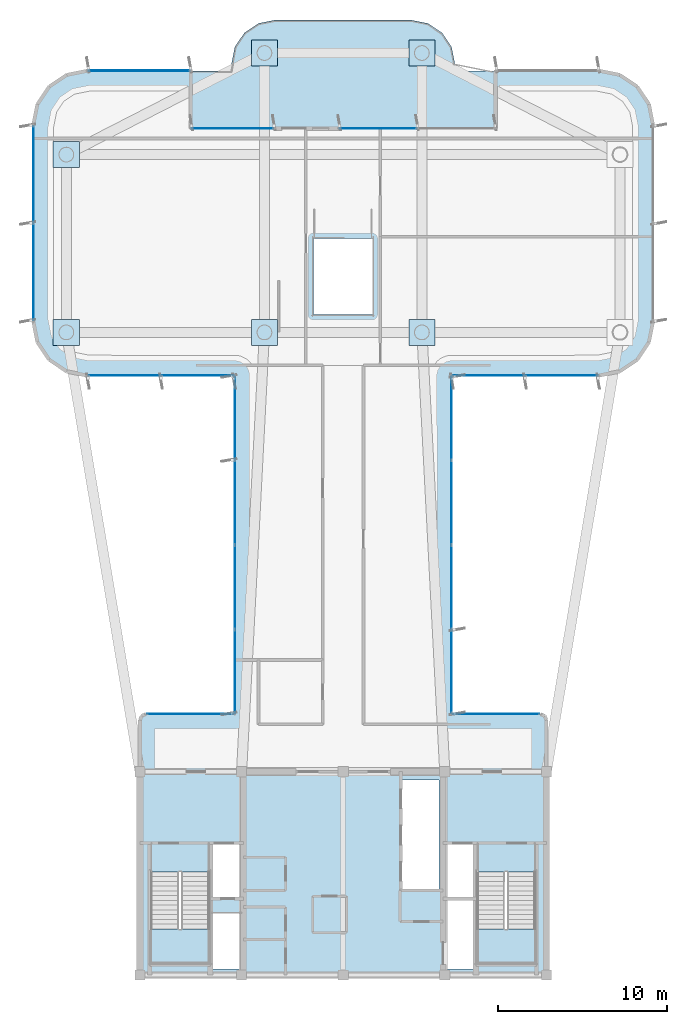
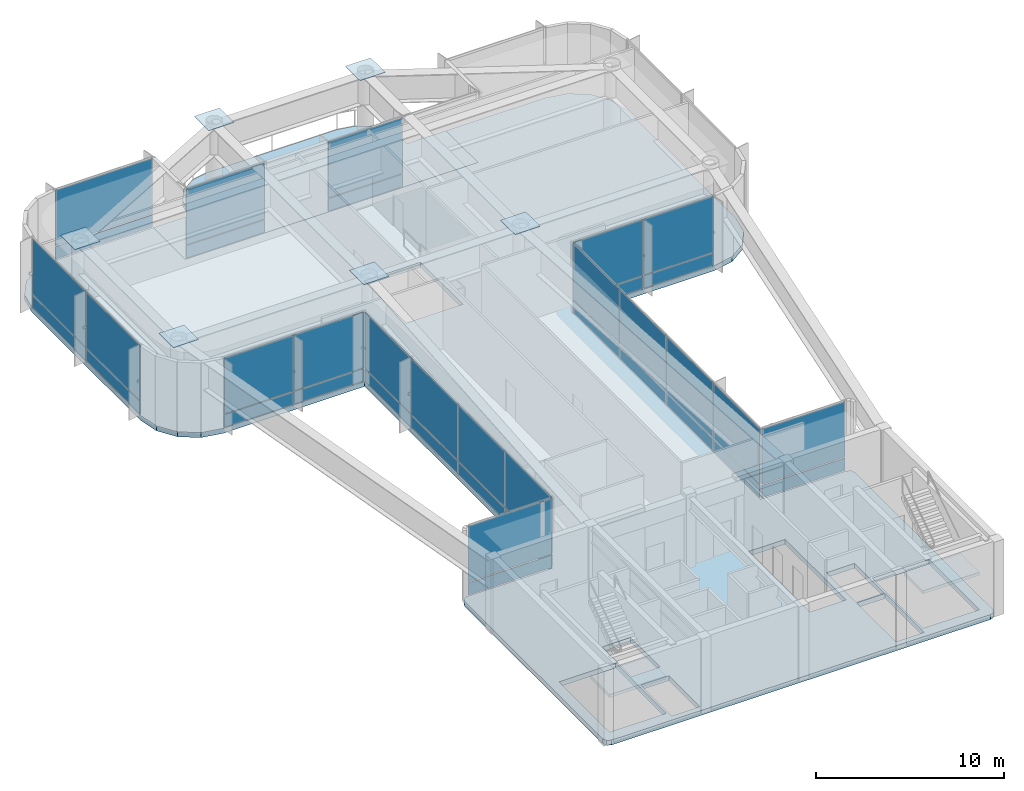
# One storey, part 8 of 13: 44 plates, 4 slabs, 12 elements without a shape of their own.
"""IFC4 building model written with IfcOpenShell, lengths in metres."""

from ifc_helpers import new_model, si_unit, direction, frame, origin, origin_2d, place, context, subcontext, project, spatial, polyline, rectangle, outline, extrude, source, transform, mapped, material, layer, layer_set, type_object, element, aggregate, save


model = new_model("IFC4")

# Units and contexts
model_context = context("Model", 3, precision=1e-05, world=origin(), true_north=direction((0.0, 1.0)))
body_context = subcontext(model_context, "Body", "Model", "MODEL_VIEW")
ifc_project = project(units=[si_unit("LENGTHUNIT", "METRE"), si_unit("AREAUNIT", "SQUARE_METRE"), si_unit("VOLUMEUNIT", "CUBIC_METRE"), si_unit("PLANEANGLEUNIT", "RADIAN"), si_unit("MASSUNIT", "GRAM", prefix="KILO")], contexts=[model_context])

# Site, building, storey
site_placement = place(None, origin())
site = spatial("IfcSite", under=ifc_project, at=site_placement, CompositionType="ELEMENT")
building_placement = place(site_placement, origin())
building = spatial("IfcBuilding", under=site, at=building_placement, Name="Brelvock Crest Care Tower", CompositionType="ELEMENT")
storey_placement = place(building_placement, frame((0.0, 0.0, 291.06005859375)))
storey = spatial("IfcBuildingStorey", under=building, at=storey_placement, Name="L74", CompositionType="ELEMENT", Elevation=291.06005859375)

# Slabs
ifc_material_1 = material(Name="Concrete N50 (50 MPa)", Category="concrete")
ifc_layer_1 = layer(ifc_material_1, 0.320068359375, Name="SLB-FL1")
ifc_layer_set_1 = layer_set([ifc_layer_1], Name="Concrete N50 (50 MPa)")
slab_type_1 = type_object("IfcSlabType", Name="SLB-FL1", PredefinedType="FLOOR", material=ifc_layer_set_1)
slab_1_placement = place(storey_placement, frame((0.0, 0.0, -0.320068359375)))
element("IfcSlab", 1, at=slab_1_placement, inside=storey, type_object=slab_type_1, Name="L74 Main Structural Slab", PredefinedType="FLOOR", context=body_context, shape_type="SweptSolid", body=[
    extrude(outline(polyline([(45.0, 59.39990234375), (45.0, 56.0), (27.0, 56.0), (27.0, 59.39990234375), (20.89990234375, 59.39990234375), (19.67529296875, 59.156494140625), (18.63720703125, 58.462646484375), (17.943603515625, 57.424560546875), (17.699951171875, 56.199951171875), (17.699951171875, 44.60009765625), (17.943603515625, 43.37548828125), (18.63720703125, 42.33740234375), (19.67529296875, 41.6435546875), (20.89990234375, 41.39990234375), (29.60009765625, 41.39990234375), (29.60009765625, 21.39990234375), (24.35009765625, 21.39990234375), (24.1025390625, 21.297607421875), (24.0, 21.050048828125), (24.0, 6.35009765625), (24.1025390625, 6.1025390625), (24.35009765625, 6.0), (47.64990234375, 6.0), (47.8974609375, 6.1025390625), (48.0, 6.35009765625), (48.0, 21.050048828125), (47.8974609375, 21.297607421875), (47.64990234375, 21.39990234375), (42.39990234375, 21.39990234375), (42.39990234375, 41.39990234375), (51.10009765625, 41.39990234375), (52.32470703125, 41.6435546875), (53.36279296875, 42.33740234375), (54.056396484375, 43.37548828125), (54.300048828125, 44.60009765625), (54.300048828125, 56.199951171875), (54.056396484375, 57.424560546875), (53.36279296875, 58.462646484375), (52.32470703125, 59.156494140625), (51.10009765625, 59.39990234375), (45.0, 59.39990234375)]), holes=[polyline([(28.239990234375, 10.580078125), (29.97998046875, 10.580078125), (29.97998046875, 13.739990234375), (28.239990234375, 13.739990234375), (28.239990234375, 10.580078125)]), polyline([(42.02001953125, 10.580078125), (43.760009765625, 10.580078125), (43.760009765625, 13.739990234375), (42.02001953125, 13.739990234375), (42.02001953125, 10.580078125)]), polyline([(28.239990234375, 6.340087890625), (29.97998046875, 6.340087890625), (29.97998046875, 9.64990234375), (28.239990234375, 9.64990234375), (28.239990234375, 6.340087890625)]), polyline([(24.6298828125, 12.080078125), (24.6298828125, 6.699951171875), (28.110107421875, 6.699951171875), (28.110107421875, 12.080078125), (24.6298828125, 12.080078125)]), polyline([(43.889892578125, 12.080078125), (43.889892578125, 6.699951171875), (47.3701171875, 6.699951171875), (47.3701171875, 12.080078125), (43.889892578125, 12.080078125)]), polyline([(34.239990234375, 49.5), (34.239990234375, 45.0), (37.719970703125, 45.0), (37.719970703125, 49.5), (34.239990234375, 49.5)]), polyline([(42.02001953125, 6.340087890625), (43.760009765625, 6.340087890625), (43.760009765625, 10.5), (42.02001953125, 10.5), (42.02001953125, 6.340087890625)]), polyline([(39.429931640625, 11.030029296875), (41.669921875, 11.030029296875), (41.669921875, 17.52001953125), (39.429931640625, 17.52001953125), (39.429931640625, 11.030029296875)])]), origin(), (0.0, 0.0, 1.0), 0.320068359375),
])
ifc_layer_2 = layer(ifc_material_1, 0.320068359375, Name="SLB-TD1")
ifc_layer_set_2 = layer_set([ifc_layer_2], Name="Concrete N50 (50 MPa)")
slab_type_2 = type_object("IfcSlabType", Name="SLB-TD1", PredefinedType="FLOOR", material=ifc_layer_set_2)
slab_2_placement = place(storey_placement, frame((0.0, 0.0, -0.320068359375)))
element("IfcSlab", 2, at=slab_2_placement, inside=storey, type_object=slab_type_2, Name="L74 Open Lookout Terrace Deck", PredefinedType="FLOOR", context=body_context, shape_type="SweptSolid", body=[
    extrude(outline(polyline([(27.0, 59.39990234375), (27.0, 56.0), (45.0, 56.0), (45.0, 59.39990234375), (42.60009765625, 59.39990234375), (42.60009765625, 59.800048828125), (42.402099609375, 60.794921875), (41.83837890625, 61.638427734375), (40.9951171875, 62.2021484375), (40.0, 62.39990234375), (32.0, 62.39990234375), (31.0048828125, 62.2021484375), (30.16162109375, 61.638427734375), (29.597900390625, 60.794921875), (29.39990234375, 59.800048828125), (29.39990234375, 59.39990234375), (27.0, 59.39990234375)])), origin(), (0.0, 0.0, 1.0), 0.320068359375),
])

# Stair, slab
ifc_material_2 = material(Name="Concrete N40 (40 MPa)", Category="concrete")
stair_type = type_object("IfcStairType", Name="ST-CORE1", PredefinedType="HALF_TURN_STAIR", material=ifc_material_2)
stair_1_placement = place(storey_placement, origin())
stair_1 = element("IfcStair", 3, at=stair_1_placement, inside=storey, type_object=stair_type, Name="L74 Fire-Isolated Core Stair ST-1", PredefinedType="HALF_TURN_STAIR")
ifc_layer_3 = layer(ifc_material_2, 0.199951171875, Name="STL-1")
ifc_layer_set_3 = layer_set([ifc_layer_3], Name="Concrete N40 (40 MPa)")
slab_type_3 = type_object("IfcSlabType", Name="STL-1", PredefinedType="LANDING", material=ifc_layer_set_3)
slab_3_placement = place(storey_placement, frame((0.0, 0.0, 2.22998046875)))
slab_3 = element("IfcSlab", 4, at=slab_3_placement, type_object=slab_type_3, Name="ST-1 landing 1", PredefinedType="LANDING", context=body_context, shape_type="SweptSolid", body=[
    extrude(outline(polyline([(24.6298828125, 8.719970703125), (24.6298828125, 6.699951171875), (28.110107421875, 6.699951171875), (28.110107421875, 8.719970703125), (24.6298828125, 8.719970703125)])), origin(), (0.0, 0.0, 1.0), 0.199951171875),
])
aggregate(stair_1, [slab_3])

stair_2_placement = place(storey_placement, origin())
stair_2 = element("IfcStair", 5, at=stair_2_placement, inside=storey, type_object=stair_type, Name="L74 Fire-Isolated Core Stair ST-2", PredefinedType="HALF_TURN_STAIR")
slab_4_placement = place(storey_placement, frame((0.0, 0.0, 2.22998046875)))
slab_4 = element("IfcSlab", 6, at=slab_4_placement, type_object=slab_type_3, Name="ST-2 landing 1", PredefinedType="LANDING", context=body_context, shape_type="SweptSolid", body=[
    extrude(outline(polyline([(43.889892578125, 8.719970703125), (43.889892578125, 6.699951171875), (47.3701171875, 6.699951171875), (47.3701171875, 8.719970703125), (43.889892578125, 8.719970703125)])), origin(), (0.0, 0.0, 1.0), 0.199951171875),
])
aggregate(stair_2, [slab_4])

# Plates
ifc_material_3 = material(Name="Steel Grade 350", Category="steel")
plate_type_1 = type_object("IfcPlateType", Name="PLT-EC1", PredefinedType="USERDEFINED", material=ifc_material_3)
shared_shape_1 = source(origin(), body_context, "Body", "SweptSolid", [
    extrude(rectangle(XDim=1.550048828125, YDim=1.550048828125, at=origin_2d()), origin(), (0.0, 0.0, 1.0), 0.031982421875),
])
for number, where, z_axis, x_axis, name in (
    (7, (19.64990234375, 43.949951171875, 4.85205078125), (0.0, 0.0, 1.0), (1.0, 0.0, 0.0), "PLT-CAP-L74-01"),
    (8, (19.64990234375, 54.449951171875, 4.85205078125), (0.0, 0.0, 1.0), (1.0, 0.0, 0.0), "PLT-CAP-L74-02"),
    (9, (31.35009765625, 43.949951171875, 4.85205078125), (0.0, 0.0, 1.0), (1.0, 0.0, 0.0), "PLT-CAP-L74-05"),
    (10, (40.64990234375, 43.949951171875, 4.85205078125), (0.0, 0.0, 1.0), (1.0, 0.0, 0.0), "PLT-CAP-L74-06"),
    (11, (31.35009765625, 60.449951171875, 4.85205078125), (0.0, 0.0, 1.0), (1.0, 0.0, 0.0), "PLT-CAP-L74-07"),
    (12, (40.64990234375, 60.449951171875, 4.85205078125), (0.0, 0.0, 1.0), (1.0, 0.0, 0.0), "PLT-CAP-L74-08"),
):
    element("IfcPlate", number, at=place(storey_placement, frame(where, z_axis=z_axis, x_axis=x_axis)), inside=storey, type_object=plate_type_1, Name=name, ObjectType="FLANGE_PLATE", PredefinedType="USERDEFINED", context=body_context, shape_type="MappedRepresentation", body=[
        mapped(shared_shape_1, transform((0.0, 0.0, 0.0), x_axis=(1.0, 0.0, 0.0), y_axis=(0.0, 1.0, 0.0), z_axis=(0.0, 0.0, 1.0), scale=1.0)),
    ])

# Curtain wall, plate
ifc_material_4 = material(Name="Dark Glass Double Glazed Low-E", Category="glass")
ifc_layer_4 = layer(ifc_material_4, 0.2548828125, Name="CWS-6")
ifc_layer_set_4 = layer_set([ifc_layer_4], Name="Dark Glass Double Glazed Low-E")
curtain_wall_type = type_object("IfcCurtainWallType", Name="CWS-6", PredefinedType="NOTDEFINED", material=ifc_layer_set_4)
curtain_wall_1_placement = place(storey_placement, origin())
curtain_wall_1 = element("IfcCurtainWall", 13, at=curtain_wall_1_placement, inside=storey, type_object=curtain_wall_type, Name="L74 Curtain Wall E11", PredefinedType="NOTDEFINED")
ifc_material_5 = material(Name="Dark Glass Shadow-Box Spandrel", Category="glass")
ifc_layer_5 = layer(ifc_material_5, 0.048095703125, Name="CWP-SP1")
ifc_layer_set_5 = layer_set([ifc_layer_5], Name="Dark Glass Shadow-Box Spandrel")
plate_type_2 = type_object("IfcPlateType", Name="CWP-SP1", PredefinedType="SHEET", material=ifc_layer_set_5)
shared_shape_2 = source(origin(), body_context, "Body", "SweptSolid", [
    extrude(rectangle(XDim=5.1201171875, YDim=0.035888671875, at=origin_2d()), origin(), (0.0, 0.0, 1.0), 0.802490234375),
])
plate_1_placement = place(storey_placement, frame((45.02490234375, 21.39990234375, 0.06494140625), z_axis=(0.0, 0.0, 1.0), x_axis=(1.0, 0.0, 0.0)))
plate_1 = element("IfcPlate", 14, at=plate_1_placement, type_object=plate_type_2, Name="CW-6 panel 1.1", PredefinedType="SHEET", context=body_context, shape_type="MappedRepresentation", body=[
    mapped(shared_shape_2, transform((0.0, 0.0, 0.0), x_axis=(1.0, 0.0, 0.0), y_axis=(0.0, 1.0, 0.0), z_axis=(0.0, 0.0, 1.0), scale=1.0)),
])

curtain_wall_2_placement = place(storey_placement, origin())
curtain_wall_2 = element("IfcCurtainWall", 15, at=curtain_wall_2_placement, inside=storey, type_object=curtain_wall_type, Name="L74 Curtain Wall E23", PredefinedType="NOTDEFINED")
plate_2_placement = place(storey_placement, frame((26.97509765625, 21.39990234375, 0.06494140625), z_axis=(0.0, 0.0, 1.0), x_axis=(1.0, 0.0, 0.0)))
plate_2 = element("IfcPlate", 16, at=plate_2_placement, type_object=plate_type_2, Name="CW-6 panel 1.1", PredefinedType="SHEET", context=body_context, shape_type="MappedRepresentation", body=[
    mapped(shared_shape_2, transform((0.0, 0.0, 0.0), x_axis=(1.0, 0.0, 0.0), y_axis=(0.0, 1.0, 0.0), z_axis=(0.0, 0.0, 1.0), scale=1.0)),
])

# Curtain wall, plates
curtain_wall_3_placement = place(storey_placement, origin())
curtain_wall_3 = element("IfcCurtainWall", 17, at=curtain_wall_3_placement, inside=storey, type_object=curtain_wall_type, Name="L74 Curtain Wall E10", PredefinedType="NOTDEFINED")
shared_shape_3 = source(origin(), body_context, "Body", "SweptSolid", [
    extrude(rectangle(XDim=4.902587890625, YDim=0.035888671875, at=origin_2d()), origin(), (0.0, 0.0, 1.0), 0.802490234375),
])
plate_3_placement = place(storey_placement, frame((42.39990234375, 38.8837890625, 0.06494140625), z_axis=(0.0, 0.0, 1.0), x_axis=(0.0, -1.0, 0.0)))
plate_3 = element("IfcPlate", 18, at=plate_3_placement, type_object=plate_type_2, Name="CW-6 panel 1.1", PredefinedType="SHEET", context=body_context, shape_type="MappedRepresentation", body=[
    mapped(shared_shape_3, transform((0.0, 0.0, 0.0), x_axis=(1.0, 0.0, 0.0), y_axis=(0.0, 1.0, 0.0), z_axis=(0.0, 0.0, 1.0), scale=1.0)),
])
plate_4_placement = place(storey_placement, frame((42.39990234375, 23.916259765625, 0.06494140625), z_axis=(0.0, 0.0, 1.0), x_axis=(0.0, -1.0, 0.0)))
plate_4 = element("IfcPlate", 19, at=plate_4_placement, type_object=plate_type_2, Name="CW-6 panel 4.1", PredefinedType="SHEET", context=body_context, shape_type="MappedRepresentation", body=[
    mapped(shared_shape_3, transform((0.0, 0.0, 0.0), x_axis=(1.0, 0.0, 0.0), y_axis=(0.0, 1.0, 0.0), z_axis=(0.0, 0.0, 1.0), scale=1.0)),
])

curtain_wall_4_placement = place(storey_placement, origin())
curtain_wall_4 = element("IfcCurtainWall", 20, at=curtain_wall_4_placement, inside=storey, type_object=curtain_wall_type, Name="L74 Curtain Wall E24", PredefinedType="NOTDEFINED")
plate_5_placement = place(storey_placement, frame((29.60009765625, 23.916259765625, 0.06494140625), z_axis=(0.0, 0.0, 1.0), x_axis=(0.0, 1.0, 0.0)))
plate_5 = element("IfcPlate", 21, at=plate_5_placement, type_object=plate_type_2, Name="CW-6 panel 1.1", PredefinedType="SHEET", context=body_context, shape_type="MappedRepresentation", body=[
    mapped(shared_shape_3, transform((0.0, 0.0, 0.0), x_axis=(1.0, 0.0, 0.0), y_axis=(0.0, 1.0, 0.0), z_axis=(0.0, 0.0, 1.0), scale=1.0)),
])
plate_6_placement = place(storey_placement, frame((29.60009765625, 38.8837890625, 0.06494140625), z_axis=(0.0, 0.0, 1.0), x_axis=(0.0, 1.0, 0.0)))
plate_6 = element("IfcPlate", 22, at=plate_6_placement, type_object=plate_type_2, Name="CW-6 panel 4.1", PredefinedType="SHEET", context=body_context, shape_type="MappedRepresentation", body=[
    mapped(shared_shape_3, transform((0.0, 0.0, 0.0), x_axis=(1.0, 0.0, 0.0), y_axis=(0.0, 1.0, 0.0), z_axis=(0.0, 0.0, 1.0), scale=1.0)),
])

# Plate
shared_shape_4 = source(origin(), body_context, "Body", "SweptSolid", [
    extrude(rectangle(XDim=4.93505859375, YDim=0.035888671875, at=origin_2d()), origin(), (0.0, 0.0, 1.0), 0.802490234375),
])
plate_7_placement = place(storey_placement, frame((42.39990234375, 33.89990234375, 0.06494140625), z_axis=(0.0, 0.0, 1.0), x_axis=(0.0, -1.0, 0.0)))
plate_7 = element("IfcPlate", 23, at=plate_7_placement, type_object=plate_type_2, Name="CW-6 panel 2.1", PredefinedType="SHEET", context=body_context, shape_type="MappedRepresentation", body=[
    mapped(shared_shape_4, transform((0.0, 0.0, 0.0), x_axis=(1.0, 0.0, 0.0), y_axis=(0.0, 1.0, 0.0), z_axis=(0.0, 0.0, 1.0), scale=1.0)),
])

plate_8_placement = place(storey_placement, frame((42.39990234375, 28.89990234375, 0.06494140625), z_axis=(0.0, 0.0, 1.0), x_axis=(0.0, -1.0, 0.0)))
plate_8 = element("IfcPlate", 24, at=plate_8_placement, type_object=plate_type_2, Name="CW-6 panel 3.1", PredefinedType="SHEET", context=body_context, shape_type="MappedRepresentation", body=[
    mapped(shared_shape_4, transform((0.0, 0.0, 0.0), x_axis=(1.0, 0.0, 0.0), y_axis=(0.0, 1.0, 0.0), z_axis=(0.0, 0.0, 1.0), scale=1.0)),
])

plate_9_placement = place(storey_placement, frame((29.60009765625, 28.89990234375, 0.06494140625), z_axis=(0.0, 0.0, 1.0), x_axis=(0.0, 1.0, 0.0)))
plate_9 = element("IfcPlate", 25, at=plate_9_placement, type_object=plate_type_2, Name="CW-6 panel 2.1", PredefinedType="SHEET", context=body_context, shape_type="MappedRepresentation", body=[
    mapped(shared_shape_4, transform((0.0, 0.0, 0.0), x_axis=(1.0, 0.0, 0.0), y_axis=(0.0, 1.0, 0.0), z_axis=(0.0, 0.0, 1.0), scale=1.0)),
])

plate_10_placement = place(storey_placement, frame((29.60009765625, 33.89990234375, 0.06494140625), z_axis=(0.0, 0.0, 1.0), x_axis=(0.0, 1.0, 0.0)))
plate_10 = element("IfcPlate", 26, at=plate_10_placement, type_object=plate_type_2, Name="CW-6 panel 3.1", PredefinedType="SHEET", context=body_context, shape_type="MappedRepresentation", body=[
    mapped(shared_shape_4, transform((0.0, 0.0, 0.0), x_axis=(1.0, 0.0, 0.0), y_axis=(0.0, 1.0, 0.0), z_axis=(0.0, 0.0, 1.0), scale=1.0)),
])

# Curtain wall, plates
curtain_wall_5_placement = place(storey_placement, origin())
curtain_wall_5 = element("IfcCurtainWall", 27, at=curtain_wall_5_placement, inside=storey, type_object=curtain_wall_type, Name="L74 Curtain Wall E30", PredefinedType="NOTDEFINED")
shared_shape_5 = source(origin(), body_context, "Body", "SweptSolid", [
    extrude(rectangle(XDim=5.702392578125, YDim=0.035888671875, at=origin_2d()), origin(), (0.0, 0.0, 1.0), 0.802490234375),
])
plate_11_placement = place(storey_placement, frame((17.699951171875, 47.516357421875, 0.06494140625), z_axis=(0.0, 0.0, 1.0), x_axis=(0.0, 1.0, 0.0)))
plate_11 = element("IfcPlate", 28, at=plate_11_placement, type_object=plate_type_2, Name="CW-6 panel 1.1", PredefinedType="SHEET", context=body_context, shape_type="MappedRepresentation", body=[
    mapped(shared_shape_5, transform((0.0, 0.0, 0.0), x_axis=(1.0, 0.0, 0.0), y_axis=(0.0, 1.0, 0.0), z_axis=(0.0, 0.0, 1.0), scale=1.0)),
])
plate_12_placement = place(storey_placement, frame((17.699951171875, 53.28369140625, 0.06494140625), z_axis=(0.0, 0.0, 1.0), x_axis=(0.0, 1.0, 0.0)))
plate_12 = element("IfcPlate", 29, at=plate_12_placement, type_object=plate_type_2, Name="CW-6 panel 2.1", PredefinedType="SHEET", context=body_context, shape_type="MappedRepresentation", body=[
    mapped(shared_shape_5, transform((0.0, 0.0, 0.0), x_axis=(1.0, 0.0, 0.0), y_axis=(0.0, 1.0, 0.0), z_axis=(0.0, 0.0, 1.0), scale=1.0)),
])

curtain_wall_6_placement = place(storey_placement, origin())
curtain_wall_6 = element("IfcCurtainWall", 30, at=curtain_wall_6_placement, inside=storey, type_object=curtain_wall_type, Name="L74 Curtain Wall E09", PredefinedType="NOTDEFINED")
shared_shape_6 = source(origin(), body_context, "Body", "SweptSolid", [
    extrude(rectangle(XDim=4.25244140625, YDim=0.035888671875, at=origin_2d()), origin(), (0.0, 0.0, 1.0), 0.802490234375),
])
plate_13_placement = place(storey_placement, frame((48.90869140625, 41.39990234375, 0.06494140625), z_axis=(0.0, 0.0, 1.0), x_axis=(-1.0, 0.0, 0.0)))
plate_13 = element("IfcPlate", 31, at=plate_13_placement, type_object=plate_type_2, Name="CW-6 panel 1.1", PredefinedType="SHEET", context=body_context, shape_type="MappedRepresentation", body=[
    mapped(shared_shape_6, transform((0.0, 0.0, 0.0), x_axis=(1.0, 0.0, 0.0), y_axis=(0.0, 1.0, 0.0), z_axis=(0.0, 0.0, 1.0), scale=1.0)),
])
plate_14_placement = place(storey_placement, frame((44.59130859375, 41.39990234375, 0.06494140625), z_axis=(0.0, 0.0, 1.0), x_axis=(-1.0, 0.0, 0.0)))
plate_14 = element("IfcPlate", 32, at=plate_14_placement, type_object=plate_type_2, Name="CW-6 panel 2.1", PredefinedType="SHEET", context=body_context, shape_type="MappedRepresentation", body=[
    mapped(shared_shape_6, transform((0.0, 0.0, 0.0), x_axis=(1.0, 0.0, 0.0), y_axis=(0.0, 1.0, 0.0), z_axis=(0.0, 0.0, 1.0), scale=1.0)),
])

curtain_wall_7_placement = place(storey_placement, origin())
curtain_wall_7 = element("IfcCurtainWall", 33, at=curtain_wall_7_placement, inside=storey, type_object=curtain_wall_type, Name="L74 Curtain Wall E25", PredefinedType="NOTDEFINED")
plate_15_placement = place(storey_placement, frame((27.40869140625, 41.39990234375, 0.06494140625), z_axis=(0.0, 0.0, 1.0), x_axis=(-1.0, 0.0, 0.0)))
plate_15 = element("IfcPlate", 34, at=plate_15_placement, type_object=plate_type_2, Name="CW-6 panel 1.1", PredefinedType="SHEET", context=body_context, shape_type="MappedRepresentation", body=[
    mapped(shared_shape_6, transform((0.0, 0.0, 0.0), x_axis=(1.0, 0.0, 0.0), y_axis=(0.0, 1.0, 0.0), z_axis=(0.0, 0.0, 1.0), scale=1.0)),
])
plate_16_placement = place(storey_placement, frame((23.09130859375, 41.39990234375, 0.06494140625), z_axis=(0.0, 0.0, 1.0), x_axis=(-1.0, 0.0, 0.0)))
plate_16 = element("IfcPlate", 35, at=plate_16_placement, type_object=plate_type_2, Name="CW-6 panel 2.1", PredefinedType="SHEET", context=body_context, shape_type="MappedRepresentation", body=[
    mapped(shared_shape_6, transform((0.0, 0.0, 0.0), x_axis=(1.0, 0.0, 0.0), y_axis=(0.0, 1.0, 0.0), z_axis=(0.0, 0.0, 1.0), scale=1.0)),
])

# Plate
ifc_layer_6 = layer(ifc_material_4, 0.0380859375, Name="CWP-V2")
ifc_layer_set_6 = layer_set([ifc_layer_6], Name="Dark Glass Double Glazed Low-E")
plate_type_3 = type_object("IfcPlateType", Name="CWP-V2", PredefinedType="CURTAIN_PANEL", material=ifc_layer_set_6)
shared_shape_7 = source(origin(), body_context, "Body", "SweptSolid", [
    extrude(rectangle(XDim=5.702392578125, YDim=0.035888671875, at=origin_2d()), origin(), (0.0, 0.0, 1.0), 3.612548828125),
])
plate_17_placement = place(storey_placement, frame((17.699951171875, 47.516357421875, 0.9326171875), z_axis=(0.0, 0.0, 1.0), x_axis=(0.0, 1.0, 0.0)))
plate_17 = element("IfcPlate", 36, at=plate_17_placement, type_object=plate_type_3, Name="CW-6 panel 1.2", PredefinedType="CURTAIN_PANEL", context=body_context, shape_type="MappedRepresentation", body=[
    mapped(shared_shape_7, transform((0.0, 0.0, 0.0), x_axis=(1.0, 0.0, 0.0), y_axis=(0.0, 1.0, 0.0), z_axis=(0.0, 0.0, 1.0), scale=1.0)),
])

plate_18_placement = place(storey_placement, frame((17.699951171875, 53.28369140625, 0.9326171875), z_axis=(0.0, 0.0, 1.0), x_axis=(0.0, 1.0, 0.0)))
plate_18 = element("IfcPlate", 37, at=plate_18_placement, type_object=plate_type_3, Name="CW-6 panel 2.2", PredefinedType="CURTAIN_PANEL", context=body_context, shape_type="MappedRepresentation", body=[
    mapped(shared_shape_7, transform((0.0, 0.0, 0.0), x_axis=(1.0, 0.0, 0.0), y_axis=(0.0, 1.0, 0.0), z_axis=(0.0, 0.0, 1.0), scale=1.0)),
])

aggregate(curtain_wall_5, [plate_11, plate_17, plate_12, plate_18])

shared_shape_8 = source(origin(), body_context, "Body", "SweptSolid", [
    extrude(rectangle(XDim=4.25244140625, YDim=0.035888671875, at=origin_2d()), origin(), (0.0, 0.0, 1.0), 3.612548828125),
])
plate_19_placement = place(storey_placement, frame((48.90869140625, 41.39990234375, 0.9326171875), z_axis=(0.0, 0.0, 1.0), x_axis=(-1.0, 0.0, 0.0)))
plate_19 = element("IfcPlate", 38, at=plate_19_placement, type_object=plate_type_3, Name="CW-6 panel 1.2", PredefinedType="CURTAIN_PANEL", context=body_context, shape_type="MappedRepresentation", body=[
    mapped(shared_shape_8, transform((0.0, 0.0, 0.0), x_axis=(1.0, 0.0, 0.0), y_axis=(0.0, 1.0, 0.0), z_axis=(0.0, 0.0, 1.0), scale=1.0)),
])

plate_20_placement = place(storey_placement, frame((44.59130859375, 41.39990234375, 0.9326171875), z_axis=(0.0, 0.0, 1.0), x_axis=(-1.0, 0.0, 0.0)))
plate_20 = element("IfcPlate", 39, at=plate_20_placement, type_object=plate_type_3, Name="CW-6 panel 2.2", PredefinedType="CURTAIN_PANEL", context=body_context, shape_type="MappedRepresentation", body=[
    mapped(shared_shape_8, transform((0.0, 0.0, 0.0), x_axis=(1.0, 0.0, 0.0), y_axis=(0.0, 1.0, 0.0), z_axis=(0.0, 0.0, 1.0), scale=1.0)),
])

aggregate(curtain_wall_6, [plate_13, plate_19, plate_14, plate_20])

plate_21_placement = place(storey_placement, frame((27.40869140625, 41.39990234375, 0.9326171875), z_axis=(0.0, 0.0, 1.0), x_axis=(-1.0, 0.0, 0.0)))
plate_21 = element("IfcPlate", 40, at=plate_21_placement, type_object=plate_type_3, Name="CW-6 panel 1.2", PredefinedType="CURTAIN_PANEL", context=body_context, shape_type="MappedRepresentation", body=[
    mapped(shared_shape_8, transform((0.0, 0.0, 0.0), x_axis=(1.0, 0.0, 0.0), y_axis=(0.0, 1.0, 0.0), z_axis=(0.0, 0.0, 1.0), scale=1.0)),
])

plate_22_placement = place(storey_placement, frame((23.09130859375, 41.39990234375, 0.9326171875), z_axis=(0.0, 0.0, 1.0), x_axis=(-1.0, 0.0, 0.0)))
plate_22 = element("IfcPlate", 41, at=plate_22_placement, type_object=plate_type_3, Name="CW-6 panel 2.2", PredefinedType="CURTAIN_PANEL", context=body_context, shape_type="MappedRepresentation", body=[
    mapped(shared_shape_8, transform((0.0, 0.0, 0.0), x_axis=(1.0, 0.0, 0.0), y_axis=(0.0, 1.0, 0.0), z_axis=(0.0, 0.0, 1.0), scale=1.0)),
])

aggregate(curtain_wall_7, [plate_15, plate_21, plate_16, plate_22])

shared_shape_9 = source(origin(), body_context, "Body", "SweptSolid", [
    extrude(rectangle(XDim=4.902587890625, YDim=0.035888671875, at=origin_2d()), origin(), (0.0, 0.0, 1.0), 3.612548828125),
])
plate_23_placement = place(storey_placement, frame((42.39990234375, 38.8837890625, 0.9326171875), z_axis=(0.0, 0.0, 1.0), x_axis=(0.0, -1.0, 0.0)))
plate_23 = element("IfcPlate", 42, at=plate_23_placement, type_object=plate_type_3, Name="CW-6 panel 1.2", PredefinedType="CURTAIN_PANEL", context=body_context, shape_type="MappedRepresentation", body=[
    mapped(shared_shape_9, transform((0.0, 0.0, 0.0), x_axis=(1.0, 0.0, 0.0), y_axis=(0.0, 1.0, 0.0), z_axis=(0.0, 0.0, 1.0), scale=1.0)),
])

plate_24_placement = place(storey_placement, frame((42.39990234375, 23.916259765625, 0.9326171875), z_axis=(0.0, 0.0, 1.0), x_axis=(0.0, -1.0, 0.0)))
plate_24 = element("IfcPlate", 43, at=plate_24_placement, type_object=plate_type_3, Name="CW-6 panel 4.2", PredefinedType="CURTAIN_PANEL", context=body_context, shape_type="MappedRepresentation", body=[
    mapped(shared_shape_9, transform((0.0, 0.0, 0.0), x_axis=(1.0, 0.0, 0.0), y_axis=(0.0, 1.0, 0.0), z_axis=(0.0, 0.0, 1.0), scale=1.0)),
])

plate_25_placement = place(storey_placement, frame((29.60009765625, 23.916259765625, 0.9326171875), z_axis=(0.0, 0.0, 1.0), x_axis=(0.0, 1.0, 0.0)))
plate_25 = element("IfcPlate", 44, at=plate_25_placement, type_object=plate_type_3, Name="CW-6 panel 1.2", PredefinedType="CURTAIN_PANEL", context=body_context, shape_type="MappedRepresentation", body=[
    mapped(shared_shape_9, transform((0.0, 0.0, 0.0), x_axis=(1.0, 0.0, 0.0), y_axis=(0.0, 1.0, 0.0), z_axis=(0.0, 0.0, 1.0), scale=1.0)),
])

plate_26_placement = place(storey_placement, frame((29.60009765625, 38.8837890625, 0.9326171875), z_axis=(0.0, 0.0, 1.0), x_axis=(0.0, 1.0, 0.0)))
plate_26 = element("IfcPlate", 45, at=plate_26_placement, type_object=plate_type_3, Name="CW-6 panel 4.2", PredefinedType="CURTAIN_PANEL", context=body_context, shape_type="MappedRepresentation", body=[
    mapped(shared_shape_9, transform((0.0, 0.0, 0.0), x_axis=(1.0, 0.0, 0.0), y_axis=(0.0, 1.0, 0.0), z_axis=(0.0, 0.0, 1.0), scale=1.0)),
])

shared_shape_10 = source(origin(), body_context, "Body", "SweptSolid", [
    extrude(rectangle(XDim=4.93505859375, YDim=0.035888671875, at=origin_2d()), origin(), (0.0, 0.0, 1.0), 3.612548828125),
])
plate_27_placement = place(storey_placement, frame((42.39990234375, 33.89990234375, 0.9326171875), z_axis=(0.0, 0.0, 1.0), x_axis=(0.0, -1.0, 0.0)))
plate_27 = element("IfcPlate", 46, at=plate_27_placement, type_object=plate_type_3, Name="CW-6 panel 2.2", PredefinedType="CURTAIN_PANEL", context=body_context, shape_type="MappedRepresentation", body=[
    mapped(shared_shape_10, transform((0.0, 0.0, 0.0), x_axis=(1.0, 0.0, 0.0), y_axis=(0.0, 1.0, 0.0), z_axis=(0.0, 0.0, 1.0), scale=1.0)),
])

plate_28_placement = place(storey_placement, frame((42.39990234375, 28.89990234375, 0.9326171875), z_axis=(0.0, 0.0, 1.0), x_axis=(0.0, -1.0, 0.0)))
plate_28 = element("IfcPlate", 47, at=plate_28_placement, type_object=plate_type_3, Name="CW-6 panel 3.2", PredefinedType="CURTAIN_PANEL", context=body_context, shape_type="MappedRepresentation", body=[
    mapped(shared_shape_10, transform((0.0, 0.0, 0.0), x_axis=(1.0, 0.0, 0.0), y_axis=(0.0, 1.0, 0.0), z_axis=(0.0, 0.0, 1.0), scale=1.0)),
])

aggregate(curtain_wall_3, [plate_3, plate_23, plate_7, plate_27, plate_8, plate_28, plate_4, plate_24])

plate_29_placement = place(storey_placement, frame((29.60009765625, 28.89990234375, 0.9326171875), z_axis=(0.0, 0.0, 1.0), x_axis=(0.0, 1.0, 0.0)))
plate_29 = element("IfcPlate", 48, at=plate_29_placement, type_object=plate_type_3, Name="CW-6 panel 2.2", PredefinedType="CURTAIN_PANEL", context=body_context, shape_type="MappedRepresentation", body=[
    mapped(shared_shape_10, transform((0.0, 0.0, 0.0), x_axis=(1.0, 0.0, 0.0), y_axis=(0.0, 1.0, 0.0), z_axis=(0.0, 0.0, 1.0), scale=1.0)),
])

plate_30_placement = place(storey_placement, frame((29.60009765625, 33.89990234375, 0.9326171875), z_axis=(0.0, 0.0, 1.0), x_axis=(0.0, 1.0, 0.0)))
plate_30 = element("IfcPlate", 49, at=plate_30_placement, type_object=plate_type_3, Name="CW-6 panel 3.2", PredefinedType="CURTAIN_PANEL", context=body_context, shape_type="MappedRepresentation", body=[
    mapped(shared_shape_10, transform((0.0, 0.0, 0.0), x_axis=(1.0, 0.0, 0.0), y_axis=(0.0, 1.0, 0.0), z_axis=(0.0, 0.0, 1.0), scale=1.0)),
])

aggregate(curtain_wall_4, [plate_5, plate_25, plate_9, plate_29, plate_10, plate_30, plate_6, plate_26])

shared_shape_11 = source(origin(), body_context, "Body", "SweptSolid", [
    extrude(rectangle(XDim=5.1201171875, YDim=0.035888671875, at=origin_2d()), origin(), (0.0, 0.0, 1.0), 3.612548828125),
])
plate_31_placement = place(storey_placement, frame((45.02490234375, 21.39990234375, 0.9326171875), z_axis=(0.0, 0.0, 1.0), x_axis=(1.0, 0.0, 0.0)))
plate_31 = element("IfcPlate", 50, at=plate_31_placement, type_object=plate_type_3, Name="CW-6 panel 1.2", PredefinedType="CURTAIN_PANEL", context=body_context, shape_type="MappedRepresentation", body=[
    mapped(shared_shape_11, transform((0.0, 0.0, 0.0), x_axis=(1.0, 0.0, 0.0), y_axis=(0.0, 1.0, 0.0), z_axis=(0.0, 0.0, 1.0), scale=1.0)),
])

aggregate(curtain_wall_1, [plate_1, plate_31])

plate_32_placement = place(storey_placement, frame((26.97509765625, 21.39990234375, 0.9326171875), z_axis=(0.0, 0.0, 1.0), x_axis=(1.0, 0.0, 0.0)))
plate_32 = element("IfcPlate", 51, at=plate_32_placement, type_object=plate_type_3, Name="CW-6 panel 1.2", PredefinedType="CURTAIN_PANEL", context=body_context, shape_type="MappedRepresentation", body=[
    mapped(shared_shape_11, transform((0.0, 0.0, 0.0), x_axis=(1.0, 0.0, 0.0), y_axis=(0.0, 1.0, 0.0), z_axis=(0.0, 0.0, 1.0), scale=1.0)),
])

aggregate(curtain_wall_2, [plate_2, plate_32])

# Curtain wall, plates
curtain_wall_8_placement = place(storey_placement, origin())
curtain_wall_8 = element("IfcCurtainWall", 52, at=curtain_wall_8_placement, inside=storey, type_object=curtain_wall_type, Name="L74 Curtain Wall E35", PredefinedType="NOTDEFINED")
shared_shape_12 = source(origin(), body_context, "Body", "SweptSolid", [
    extrude(rectangle(XDim=5.969970703125, YDim=0.035888671875, at=origin_2d()), origin(), (0.0, 0.0, 1.0), 0.802490234375),
])
plate_33_placement = place(storey_placement, frame((23.949951171875, 59.39990234375, 0.06494140625), z_axis=(0.0, 0.0, 1.0), x_axis=(1.0, 0.0, 0.0)))
plate_33 = element("IfcPlate", 53, at=plate_33_placement, type_object=plate_type_2, Name="CW-6 panel 1.1", PredefinedType="SHEET", context=body_context, shape_type="MappedRepresentation", body=[
    mapped(shared_shape_12, transform((0.0, 0.0, 0.0), x_axis=(1.0, 0.0, 0.0), y_axis=(0.0, 1.0, 0.0), z_axis=(0.0, 0.0, 1.0), scale=1.0)),
])
shared_shape_13 = source(origin(), body_context, "Body", "SweptSolid", [
    extrude(rectangle(XDim=5.969970703125, YDim=0.035888671875, at=origin_2d()), origin(), (0.0, 0.0, 1.0), 3.612548828125),
])
plate_34_placement = place(storey_placement, frame((23.949951171875, 59.39990234375, 0.9326171875), z_axis=(0.0, 0.0, 1.0), x_axis=(1.0, 0.0, 0.0)))
plate_34 = element("IfcPlate", 54, at=plate_34_placement, type_object=plate_type_3, Name="CW-6 panel 1.2", PredefinedType="CURTAIN_PANEL", context=body_context, shape_type="MappedRepresentation", body=[
    mapped(shared_shape_13, transform((0.0, 0.0, 0.0), x_axis=(1.0, 0.0, 0.0), y_axis=(0.0, 1.0, 0.0), z_axis=(0.0, 0.0, 1.0), scale=1.0)),
])
aggregate(curtain_wall_8, [plate_33, plate_34])

curtain_wall_9_placement = place(storey_placement, origin())
curtain_wall_9 = element("IfcCurtainWall", 55, at=curtain_wall_9_placement, inside=storey, type_object=curtain_wall_type, Name="L74 Curtain Wall E37A", PredefinedType="NOTDEFINED")
shared_shape_14 = source(origin(), body_context, "Body", "SweptSolid", [
    extrude(rectangle(XDim=4.81005859375, YDim=0.035888671875, at=origin_2d()), origin(), (0.0, 0.0, 1.0), 0.802490234375),
])
plate_35_placement = place(storey_placement, frame((29.469970703125, 56.0, 0.06494140625), z_axis=(0.0, 0.0, 1.0), x_axis=(1.0, 0.0, 0.0)))
plate_35 = element("IfcPlate", 56, at=plate_35_placement, type_object=plate_type_2, Name="CW-6 panel 1.1", PredefinedType="SHEET", context=body_context, shape_type="MappedRepresentation", body=[
    mapped(shared_shape_14, transform((0.0, 0.0, 0.0), x_axis=(1.0, 0.0, 0.0), y_axis=(0.0, 1.0, 0.0), z_axis=(0.0, 0.0, 1.0), scale=1.0)),
])
shared_shape_15 = source(origin(), body_context, "Body", "SweptSolid", [
    extrude(rectangle(XDim=4.81005859375, YDim=0.035888671875, at=origin_2d()), origin(), (0.0, 0.0, 1.0), 3.612548828125),
])
plate_36_placement = place(storey_placement, frame((29.469970703125, 56.0, 0.9326171875), z_axis=(0.0, 0.0, 1.0), x_axis=(1.0, 0.0, 0.0)))
plate_36 = element("IfcPlate", 57, at=plate_36_placement, type_object=plate_type_3, Name="CW-6 panel 1.2", PredefinedType="CURTAIN_PANEL", context=body_context, shape_type="MappedRepresentation", body=[
    mapped(shared_shape_15, transform((0.0, 0.0, 0.0), x_axis=(1.0, 0.0, 0.0), y_axis=(0.0, 1.0, 0.0), z_axis=(0.0, 0.0, 1.0), scale=1.0)),
])
aggregate(curtain_wall_9, [plate_35, plate_36])

curtain_wall_10_placement = place(storey_placement, origin())
curtain_wall_10 = element("IfcCurtainWall", 58, at=curtain_wall_10_placement, inside=storey, type_object=curtain_wall_type, Name="L74 Curtain Wall E37B", PredefinedType="NOTDEFINED")
shared_shape_16 = source(origin(), body_context, "Body", "SweptSolid", [
    extrude(rectangle(XDim=4.532470703125, YDim=0.035888671875, at=origin_2d()), origin(), (0.0, 0.0, 1.0), 0.802490234375),
])
plate_37_placement = place(storey_placement, frame((38.0712890625, 56.0, 0.06494140625), z_axis=(0.0, 0.0, 1.0), x_axis=(1.0, 0.0, 0.0)))
plate_37 = element("IfcPlate", 59, at=plate_37_placement, type_object=plate_type_2, Name="CW-6 panel 1.1", PredefinedType="SHEET", context=body_context, shape_type="MappedRepresentation", body=[
    mapped(shared_shape_16, transform((0.0, 0.0, 0.0), x_axis=(1.0, 0.0, 0.0), y_axis=(0.0, 1.0, 0.0), z_axis=(0.0, 0.0, 1.0), scale=1.0)),
])
shared_shape_17 = source(origin(), body_context, "Body", "SweptSolid", [
    extrude(rectangle(XDim=4.532470703125, YDim=0.035888671875, at=origin_2d()), origin(), (0.0, 0.0, 1.0), 3.612548828125),
])
plate_38_placement = place(storey_placement, frame((38.0712890625, 56.0, 0.9326171875), z_axis=(0.0, 0.0, 1.0), x_axis=(1.0, 0.0, 0.0)))
plate_38 = element("IfcPlate", 60, at=plate_38_placement, type_object=plate_type_3, Name="CW-6 panel 1.2", PredefinedType="CURTAIN_PANEL", context=body_context, shape_type="MappedRepresentation", body=[
    mapped(shared_shape_17, transform((0.0, 0.0, 0.0), x_axis=(1.0, 0.0, 0.0), y_axis=(0.0, 1.0, 0.0), z_axis=(0.0, 0.0, 1.0), scale=1.0)),
])
aggregate(curtain_wall_10, [plate_37, plate_38])

save(model, "model.ifc")
